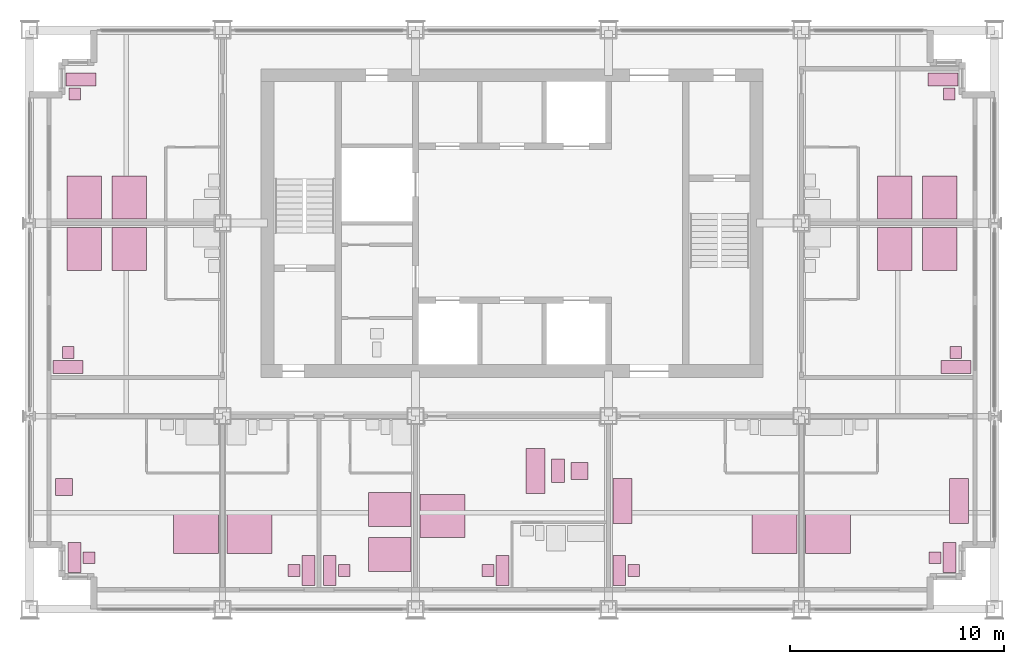
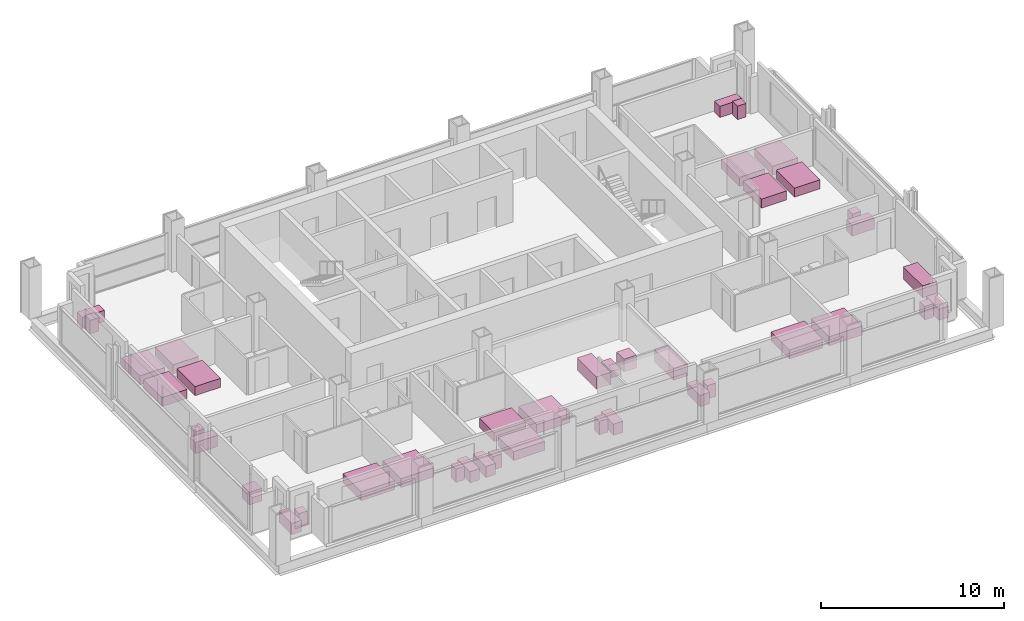
# One storey, part 13 of 13: 41 furniture elements.
"""IFC4 building model written with IfcOpenShell, lengths in metres."""

from ifc_helpers import new_model, si_unit, direction, frame, origin, origin_2d, place, context, subcontext, project, spatial, rectangle, extrude, element, save


model = new_model("IFC4")

# Units and contexts
model_context = context("Model", 3, precision=1e-05, world=origin(), true_north=direction((0.0, 1.0)))
body_context = subcontext(model_context, "Body", "Model", "MODEL_VIEW")
ifc_project = project(units=[si_unit("LENGTHUNIT", "METRE"), si_unit("AREAUNIT", "SQUARE_METRE"), si_unit("VOLUMEUNIT", "CUBIC_METRE"), si_unit("PLANEANGLEUNIT", "RADIAN"), si_unit("MASSUNIT", "GRAM", prefix="KILO")], contexts=[model_context])

# Site, building, storey
site_placement = place(None, origin())
site = spatial("IfcSite", under=ifc_project, at=site_placement, CompositionType="ELEMENT")
building_placement = place(site_placement, origin())
building = spatial("IfcBuilding", under=site, at=building_placement, Name="Loomwork Tower", CompositionType="ELEMENT")
storey_placement = place(building_placement, frame((0.0, 0.0, 191.0)))
storey = spatial("IfcBuildingStorey", under=building, at=storey_placement, Name="L52", CompositionType="ELEMENT", Elevation=191.0)

# Furniture
furniture_1_placement = place(storey_placement, frame((7.75, 3.60009765625, 0.0), z_axis=(0.0, 0.0, 1.0), x_axis=(1.0, 0.0, 0.0)))
element("IfcFurniture", 1, at=furniture_1_placement, inside=storey, Name="King bed L52", PredefinedType="BED", context=body_context, shape_type="SweptSolid", body=[
    extrude(rectangle(XDim=2.10009765625, YDim=2.0, at=origin_2d()), origin(), (0.0, 0.0, 1.0), 0.60009765625),
])
furniture_2_placement = place(storey_placement, frame((2.10009765625, 2.39990234375, 0.0), z_axis=(0.0, 0.0, 1.0), x_axis=(1.0, 0.0, 0.0)))
element("IfcFurniture", 2, at=furniture_2_placement, inside=storey, Name="Writing desk L52", PredefinedType="DESK", context=body_context, shape_type="SweptSolid", body=[
    extrude(rectangle(XDim=0.60009765625, YDim=1.39990234375, at=origin_2d()), origin(), (0.0, 0.0, 1.0), 0.75),
])
furniture_3_placement = place(storey_placement, frame((2.77490234375, 2.39990234375, 0.0), z_axis=(0.0, 0.0, 1.0), x_axis=(1.0, 0.0, 0.0)))
element("IfcFurniture", 3, at=furniture_3_placement, inside=storey, Name="Desk chair L52", PredefinedType="CHAIR", context=body_context, shape_type="SweptSolid", body=[
    extrude(rectangle(XDim=0.550048828125, YDim=0.550048828125, at=origin_2d()), origin(), (0.0, 0.0, 1.0), 0.89990234375),
])
furniture_4_placement = place(storey_placement, frame((1.60009765625, 5.699951171875, 0.0), z_axis=(0.0, 0.0, 1.0), x_axis=(1.0, 0.0, 0.0)))
element("IfcFurniture", 4, at=furniture_4_placement, inside=storey, Name="Lounge armchair L52", PredefinedType="CHAIR", context=body_context, shape_type="SweptSolid", body=[
    extrude(rectangle(XDim=0.800048828125, YDim=0.800048828125, at=origin_2d()), origin(), (0.0, 0.0, 1.0), 0.85009765625),
])
furniture_5_placement = place(storey_placement, frame((10.25, 3.60009765625, 0.0), z_axis=(0.0, 0.0, 1.0), x_axis=(1.0, 0.0, 0.0)))
element("IfcFurniture", 5, at=furniture_5_placement, inside=storey, Name="King bed L52", PredefinedType="BED", context=body_context, shape_type="SweptSolid", body=[
    extrude(rectangle(XDim=2.10009765625, YDim=2.0, at=origin_2d()), origin(), (0.0, 0.0, 1.0), 0.60009765625),
])
furniture_6_placement = place(storey_placement, frame((13.0, 1.800048828125, 0.0), z_axis=(0.0, 0.0, 1.0), x_axis=(1.0, 0.0, 0.0)))
element("IfcFurniture", 6, at=furniture_6_placement, inside=storey, Name="Writing desk L52", PredefinedType="DESK", context=body_context, shape_type="SweptSolid", body=[
    extrude(rectangle(XDim=0.60009765625, YDim=1.39990234375, at=origin_2d()), origin(), (0.0, 0.0, 1.0), 0.75),
])
furniture_7_placement = place(storey_placement, frame((12.324951171875, 1.800048828125, 0.0), z_axis=(0.0, 0.0, 1.0), x_axis=(1.0, 0.0, 0.0)))
element("IfcFurniture", 7, at=furniture_7_placement, inside=storey, Name="Desk chair L52", PredefinedType="CHAIR", context=body_context, shape_type="SweptSolid", body=[
    extrude(rectangle(XDim=0.550048828125, YDim=0.550048828125, at=origin_2d()), origin(), (0.0, 0.0, 1.0), 0.89990234375),
])
for number, where, z_axis, x_axis, name in (
    (8, (16.800048828125, 4.64990234375, 0.0), (0.0, 0.0, 1.0), (1.0, 0.0, 0.0), "Queen bed L52"),
    (9, (16.800048828125, 2.550048828125, 0.0), (0.0, 0.0, 1.0), (1.0, 0.0, 0.0), "Queen bed L52"),
):
    element("IfcFurniture", number, at=place(storey_placement, frame(where, z_axis=z_axis, x_axis=x_axis)), inside=storey, Name=name, PredefinedType="BED", context=body_context, shape_type="SweptSolid", body=[
        extrude(rectangle(XDim=2.0, YDim=1.60009765625, at=origin_2d()), origin(), (0.0, 0.0, 1.0), 0.60009765625),
    ])
furniture_8_placement = place(storey_placement, frame((14.0, 1.800048828125, 0.0), z_axis=(0.0, 0.0, 1.0), x_axis=(1.0, 0.0, 0.0)))
element("IfcFurniture", 10, at=furniture_8_placement, inside=storey, Name="Writing desk L52", PredefinedType="DESK", context=body_context, shape_type="SweptSolid", body=[
    extrude(rectangle(XDim=0.60009765625, YDim=1.39990234375, at=origin_2d()), origin(), (0.0, 0.0, 1.0), 0.75),
])
furniture_9_placement = place(storey_placement, frame((14.675048828125, 1.800048828125, 0.0), z_axis=(0.0, 0.0, 1.0), x_axis=(1.0, 0.0, 0.0)))
element("IfcFurniture", 11, at=furniture_9_placement, inside=storey, Name="Desk chair L52", PredefinedType="CHAIR", context=body_context, shape_type="SweptSolid", body=[
    extrude(rectangle(XDim=0.550048828125, YDim=0.550048828125, at=origin_2d()), origin(), (0.0, 0.0, 1.0), 0.89990234375),
])
furniture_10_placement = place(storey_placement, frame((19.25, 4.35009765625, 0.0), z_axis=(0.0, 0.0, 1.0), x_axis=(1.0, 0.0, 0.0)))
element("IfcFurniture", 12, at=furniture_10_placement, inside=storey, Name="King bed L52", PredefinedType="BED", context=body_context, shape_type="SweptSolid", body=[
    extrude(rectangle(XDim=2.10009765625, YDim=2.0, at=origin_2d()), origin(), (0.0, 0.0, 1.0), 0.60009765625),
])
furniture_11_placement = place(storey_placement, frame((22.050048828125, 1.800048828125, 0.0), z_axis=(0.0, 0.0, 1.0), x_axis=(1.0, 0.0, 0.0)))
element("IfcFurniture", 13, at=furniture_11_placement, inside=storey, Name="Writing desk L52", PredefinedType="DESK", context=body_context, shape_type="SweptSolid", body=[
    extrude(rectangle(XDim=0.60009765625, YDim=1.39990234375, at=origin_2d()), origin(), (0.0, 0.0, 1.0), 0.75),
])
furniture_12_placement = place(storey_placement, frame((21.375, 1.800048828125, 0.0), z_axis=(0.0, 0.0, 1.0), x_axis=(1.0, 0.0, 0.0)))
element("IfcFurniture", 14, at=furniture_12_placement, inside=storey, Name="Desk chair L52", PredefinedType="CHAIR", context=body_context, shape_type="SweptSolid", body=[
    extrude(rectangle(XDim=0.550048828125, YDim=0.550048828125, at=origin_2d()), origin(), (0.0, 0.0, 1.0), 0.89990234375),
])
furniture_13_placement = place(storey_placement, frame((23.60009765625, 6.449951171875, 0.0), z_axis=(0.0, 0.0, 1.0), x_axis=(1.0, 0.0, 0.0)))
element("IfcFurniture", 15, at=furniture_13_placement, inside=storey, Name="Sofa L52", PredefinedType="SOFA", context=body_context, shape_type="SweptSolid", body=[
    extrude(rectangle(XDim=0.89990234375, YDim=2.10009765625, at=origin_2d()), origin(), (0.0, 0.0, 1.0), 0.800048828125),
])
furniture_14_placement = place(storey_placement, frame((24.64990234375, 6.449951171875, 0.0), z_axis=(0.0, 0.0, 1.0), x_axis=(1.0, 0.0, 0.0)))
element("IfcFurniture", 16, at=furniture_14_placement, inside=storey, Name="Coffee table L52", PredefinedType="TABLE", context=body_context, shape_type="SweptSolid", body=[
    extrude(rectangle(XDim=0.60009765625, YDim=1.10009765625, at=origin_2d()), origin(), (0.0, 0.0, 1.0), 0.449951171875),
])
furniture_15_placement = place(storey_placement, frame((25.64990234375, 6.449951171875, 0.0), z_axis=(0.0, 0.0, 1.0), x_axis=(1.0, 0.0, 0.0)))
element("IfcFurniture", 17, at=furniture_15_placement, inside=storey, Name="Lounge armchair L52", PredefinedType="CHAIR", context=body_context, shape_type="SweptSolid", body=[
    extrude(rectangle(XDim=0.800048828125, YDim=0.800048828125, at=origin_2d()), origin(), (0.0, 0.0, 1.0), 0.85009765625),
])
furniture_16_placement = place(storey_placement, frame((34.75, 3.60009765625, 0.0), z_axis=(0.0, 0.0, 1.0), x_axis=(1.0, 0.0, 0.0)))
element("IfcFurniture", 18, at=furniture_16_placement, inside=storey, Name="King bed L52", PredefinedType="BED", context=body_context, shape_type="SweptSolid", body=[
    extrude(rectangle(XDim=2.10009765625, YDim=2.0, at=origin_2d()), origin(), (0.0, 0.0, 1.0), 0.60009765625),
])
furniture_17_placement = place(storey_placement, frame((27.5, 1.800048828125, 0.0), z_axis=(0.0, 0.0, 1.0), x_axis=(1.0, 0.0, 0.0)))
element("IfcFurniture", 19, at=furniture_17_placement, inside=storey, Name="Writing desk L52", PredefinedType="DESK", context=body_context, shape_type="SweptSolid", body=[
    extrude(rectangle(XDim=0.60009765625, YDim=1.39990234375, at=origin_2d()), origin(), (0.0, 0.0, 1.0), 0.75),
])
furniture_18_placement = place(storey_placement, frame((28.175048828125, 1.800048828125, 0.0), z_axis=(0.0, 0.0, 1.0), x_axis=(1.0, 0.0, 0.0)))
element("IfcFurniture", 20, at=furniture_18_placement, inside=storey, Name="Desk chair L52", PredefinedType="CHAIR", context=body_context, shape_type="SweptSolid", body=[
    extrude(rectangle(XDim=0.550048828125, YDim=0.550048828125, at=origin_2d()), origin(), (0.0, 0.0, 1.0), 0.89990234375),
])
furniture_19_placement = place(storey_placement, frame((27.64990234375, 5.050048828125, 0.0), z_axis=(0.0, 0.0, 1.0), x_axis=(1.0, 0.0, 0.0)))
element("IfcFurniture", 21, at=furniture_19_placement, inside=storey, Name="Sofa L52", PredefinedType="SOFA", context=body_context, shape_type="SweptSolid", body=[
    extrude(rectangle(XDim=0.89990234375, YDim=2.10009765625, at=origin_2d()), origin(), (0.0, 0.0, 1.0), 0.800048828125),
])
furniture_20_placement = place(storey_placement, frame((37.25, 3.60009765625, 0.0), z_axis=(0.0, 0.0, 1.0), x_axis=(1.0, 0.0, 0.0)))
element("IfcFurniture", 22, at=furniture_20_placement, inside=storey, Name="King bed L52", PredefinedType="BED", context=body_context, shape_type="SweptSolid", body=[
    extrude(rectangle(XDim=2.10009765625, YDim=2.0, at=origin_2d()), origin(), (0.0, 0.0, 1.0), 0.60009765625),
])
furniture_21_placement = place(storey_placement, frame((42.89990234375, 2.39990234375, 0.0), z_axis=(0.0, 0.0, 1.0), x_axis=(1.0, 0.0, 0.0)))
element("IfcFurniture", 23, at=furniture_21_placement, inside=storey, Name="Writing desk L52", PredefinedType="DESK", context=body_context, shape_type="SweptSolid", body=[
    extrude(rectangle(XDim=0.60009765625, YDim=1.39990234375, at=origin_2d()), origin(), (0.0, 0.0, 1.0), 0.75),
])
furniture_22_placement = place(storey_placement, frame((42.22509765625, 2.39990234375, 0.0), z_axis=(0.0, 0.0, 1.0), x_axis=(1.0, 0.0, 0.0)))
element("IfcFurniture", 24, at=furniture_22_placement, inside=storey, Name="Desk chair L52", PredefinedType="CHAIR", context=body_context, shape_type="SweptSolid", body=[
    extrude(rectangle(XDim=0.550048828125, YDim=0.550048828125, at=origin_2d()), origin(), (0.0, 0.0, 1.0), 0.89990234375),
])
furniture_23_placement = place(storey_placement, frame((43.35009765625, 5.050048828125, 0.0), z_axis=(0.0, 0.0, 1.0), x_axis=(1.0, 0.0, 0.0)))
element("IfcFurniture", 25, at=furniture_23_placement, inside=storey, Name="Sofa L52", PredefinedType="SOFA", context=body_context, shape_type="SweptSolid", body=[
    extrude(rectangle(XDim=0.89990234375, YDim=2.10009765625, at=origin_2d()), origin(), (0.0, 0.0, 1.0), 0.800048828125),
])
for number, where, z_axis, x_axis, name in (
    (26, (4.64990234375, 16.800048828125, 0.0), (0.0, 0.0, 1.0), (1.0, 0.0, 0.0), "Queen bed L52"),
    (27, (2.550048828125, 16.800048828125, 0.0), (0.0, 0.0, 1.0), (1.0, 0.0, 0.0), "Queen bed L52"),
):
    element("IfcFurniture", number, at=place(storey_placement, frame(where, z_axis=z_axis, x_axis=x_axis)), inside=storey, Name=name, PredefinedType="BED", context=body_context, shape_type="SweptSolid", body=[
        extrude(rectangle(XDim=1.60009765625, YDim=2.0, at=origin_2d()), origin(), (0.0, 0.0, 1.0), 0.60009765625),
    ])
furniture_24_placement = place(storey_placement, frame((1.800048828125, 11.300048828125, 0.0), z_axis=(0.0, 0.0, 1.0), x_axis=(1.0, 0.0, 0.0)))
element("IfcFurniture", 28, at=furniture_24_placement, inside=storey, Name="Writing desk L52", PredefinedType="DESK", context=body_context, shape_type="SweptSolid", body=[
    extrude(rectangle(XDim=1.39990234375, YDim=0.60009765625, at=origin_2d()), origin(), (0.0, 0.0, 1.0), 0.75),
])
furniture_25_placement = place(storey_placement, frame((1.800048828125, 11.97509765625, 0.0), z_axis=(0.0, 0.0, 1.0), x_axis=(1.0, 0.0, 0.0)))
element("IfcFurniture", 29, at=furniture_25_placement, inside=storey, Name="Desk chair L52", PredefinedType="CHAIR", context=body_context, shape_type="SweptSolid", body=[
    extrude(rectangle(XDim=0.550048828125, YDim=0.550048828125, at=origin_2d()), origin(), (0.0, 0.0, 1.0), 0.89990234375),
])
for number, where, z_axis, x_axis, name in (
    (30, (4.64990234375, 19.199951171875, 0.0), (0.0, 0.0, 1.0), (1.0, 0.0, 0.0), "Queen bed L52"),
    (31, (2.550048828125, 19.199951171875, 0.0), (0.0, 0.0, 1.0), (1.0, 0.0, 0.0), "Queen bed L52"),
):
    element("IfcFurniture", number, at=place(storey_placement, frame(where, z_axis=z_axis, x_axis=x_axis)), inside=storey, Name=name, PredefinedType="BED", context=body_context, shape_type="SweptSolid", body=[
        extrude(rectangle(XDim=1.60009765625, YDim=2.0, at=origin_2d()), origin(), (0.0, 0.0, 1.0), 0.60009765625),
    ])
furniture_26_placement = place(storey_placement, frame((2.39990234375, 24.699951171875, 0.0), z_axis=(0.0, 0.0, 1.0), x_axis=(1.0, 0.0, 0.0)))
element("IfcFurniture", 32, at=furniture_26_placement, inside=storey, Name="Writing desk L52", PredefinedType="DESK", context=body_context, shape_type="SweptSolid", body=[
    extrude(rectangle(XDim=1.39990234375, YDim=0.60009765625, at=origin_2d()), origin(), (0.0, 0.0, 1.0), 0.75),
])
furniture_27_placement = place(storey_placement, frame((2.10009765625, 24.02490234375, 0.0), z_axis=(0.0, 0.0, 1.0), x_axis=(1.0, 0.0, 0.0)))
element("IfcFurniture", 33, at=furniture_27_placement, inside=storey, Name="Desk chair L52", PredefinedType="CHAIR", context=body_context, shape_type="SweptSolid", body=[
    extrude(rectangle(XDim=0.550048828125, YDim=0.550048828125, at=origin_2d()), origin(), (0.0, 0.0, 1.0), 0.89990234375),
])
for number, where, z_axis, x_axis, name in (
    (34, (40.35009765625, 16.800048828125, 0.0), (0.0, 0.0, 1.0), (1.0, 0.0, 0.0), "Queen bed L52"),
    (35, (42.449951171875, 16.800048828125, 0.0), (0.0, 0.0, 1.0), (1.0, 0.0, 0.0), "Queen bed L52"),
):
    element("IfcFurniture", number, at=place(storey_placement, frame(where, z_axis=z_axis, x_axis=x_axis)), inside=storey, Name=name, PredefinedType="BED", context=body_context, shape_type="SweptSolid", body=[
        extrude(rectangle(XDim=1.60009765625, YDim=2.0, at=origin_2d()), origin(), (0.0, 0.0, 1.0), 0.60009765625),
    ])
furniture_28_placement = place(storey_placement, frame((43.199951171875, 11.300048828125, 0.0), z_axis=(0.0, 0.0, 1.0), x_axis=(1.0, 0.0, 0.0)))
element("IfcFurniture", 36, at=furniture_28_placement, inside=storey, Name="Writing desk L52", PredefinedType="DESK", context=body_context, shape_type="SweptSolid", body=[
    extrude(rectangle(XDim=1.39990234375, YDim=0.60009765625, at=origin_2d()), origin(), (0.0, 0.0, 1.0), 0.75),
])
furniture_29_placement = place(storey_placement, frame((43.199951171875, 11.97509765625, 0.0), z_axis=(0.0, 0.0, 1.0), x_axis=(1.0, 0.0, 0.0)))
element("IfcFurniture", 37, at=furniture_29_placement, inside=storey, Name="Desk chair L52", PredefinedType="CHAIR", context=body_context, shape_type="SweptSolid", body=[
    extrude(rectangle(XDim=0.550048828125, YDim=0.550048828125, at=origin_2d()), origin(), (0.0, 0.0, 1.0), 0.89990234375),
])
for number, where, z_axis, x_axis, name in (
    (38, (40.35009765625, 19.199951171875, 0.0), (0.0, 0.0, 1.0), (1.0, 0.0, 0.0), "Queen bed L52"),
    (39, (42.449951171875, 19.199951171875, 0.0), (0.0, 0.0, 1.0), (1.0, 0.0, 0.0), "Queen bed L52"),
):
    element("IfcFurniture", number, at=place(storey_placement, frame(where, z_axis=z_axis, x_axis=x_axis)), inside=storey, Name=name, PredefinedType="BED", context=body_context, shape_type="SweptSolid", body=[
        extrude(rectangle(XDim=1.60009765625, YDim=2.0, at=origin_2d()), origin(), (0.0, 0.0, 1.0), 0.60009765625),
    ])
furniture_30_placement = place(storey_placement, frame((42.60009765625, 24.699951171875, 0.0), z_axis=(0.0, 0.0, 1.0), x_axis=(1.0, 0.0, 0.0)))
element("IfcFurniture", 40, at=furniture_30_placement, inside=storey, Name="Writing desk L52", PredefinedType="DESK", context=body_context, shape_type="SweptSolid", body=[
    extrude(rectangle(XDim=1.39990234375, YDim=0.60009765625, at=origin_2d()), origin(), (0.0, 0.0, 1.0), 0.75),
])
furniture_31_placement = place(storey_placement, frame((42.89990234375, 24.02490234375, 0.0), z_axis=(0.0, 0.0, 1.0), x_axis=(1.0, 0.0, 0.0)))
element("IfcFurniture", 41, at=furniture_31_placement, inside=storey, Name="Desk chair L52", PredefinedType="CHAIR", context=body_context, shape_type="SweptSolid", body=[
    extrude(rectangle(XDim=0.550048828125, YDim=0.550048828125, at=origin_2d()), origin(), (0.0, 0.0, 1.0), 0.89990234375),
])

save(model, "model.ifc")
